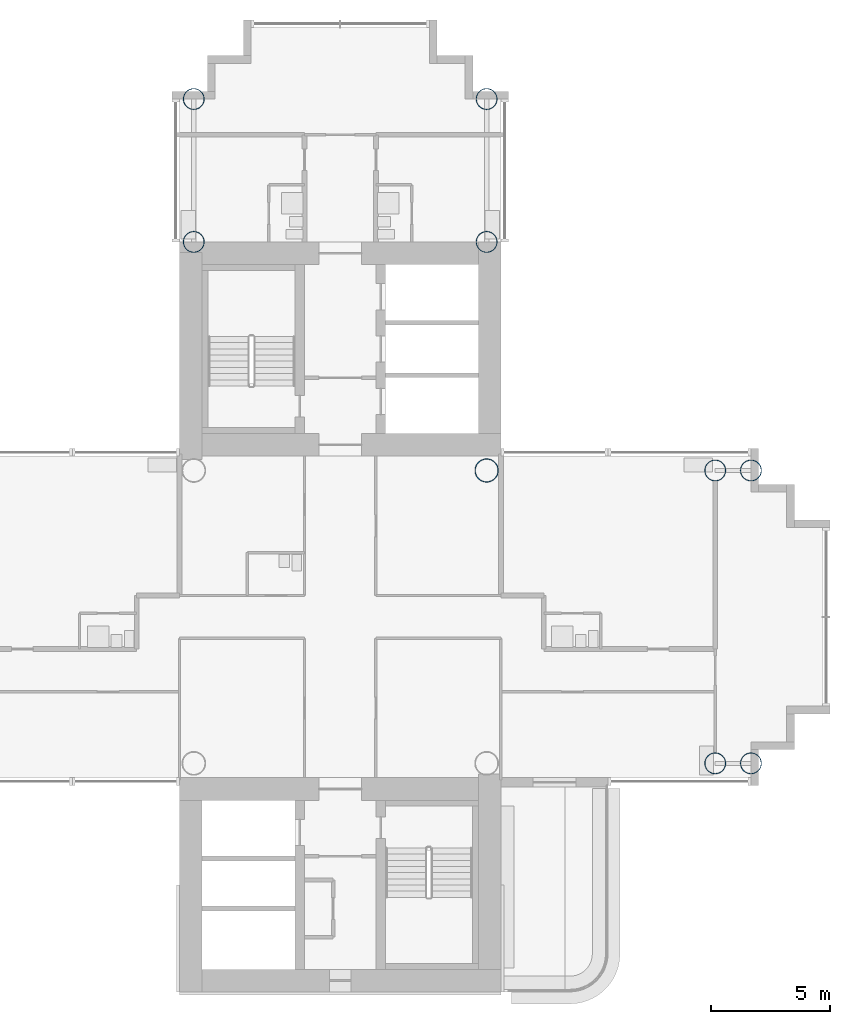
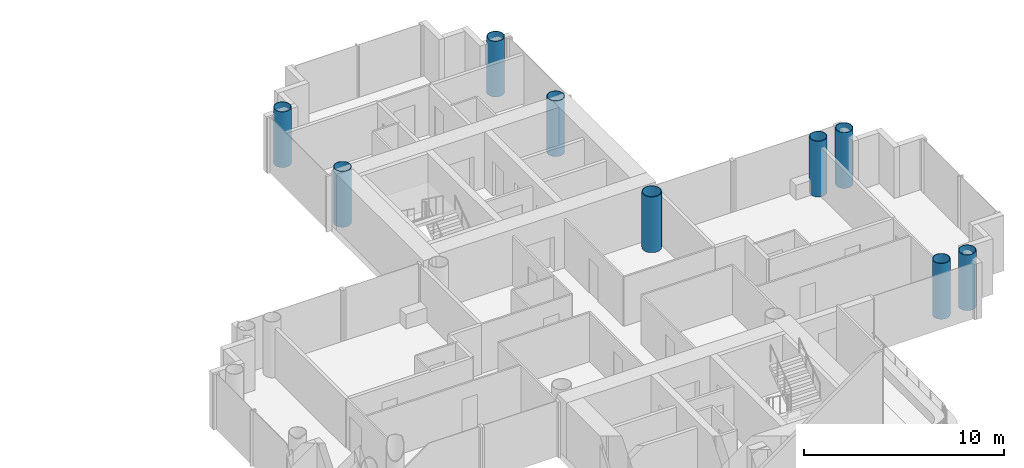
# One storey, part 2 of 21: 9 columns.
"""IFC4 building model written with IfcOpenShell, lengths in metres."""

from ifc_helpers import new_model, si_unit, direction, frame, origin, origin_2d, place, context, subcontext, project, spatial, hollow_circle, extrude, material, material_profile, profile_set, type_object, element, save


model = new_model("IFC4")

# Units and contexts
model_context = context("Model", 3, precision=1e-05, world=origin(), true_north=direction((0.0, 1.0)))
body_context = subcontext(model_context, "Body", "Model", "MODEL_VIEW")
ifc_project = project(units=[si_unit("LENGTHUNIT", "METRE"), si_unit("AREAUNIT", "SQUARE_METRE"), si_unit("VOLUMEUNIT", "CUBIC_METRE"), si_unit("PLANEANGLEUNIT", "RADIAN"), si_unit("MASSUNIT", "GRAM", prefix="KILO")], contexts=[model_context])

# Site, building, storey
site_placement = place(None, origin())
site = spatial("IfcSite", under=ifc_project, at=site_placement, CompositionType="ELEMENT")
building_placement = place(site_placement, origin())
building = spatial("IfcBuilding", under=site, at=building_placement, Name="Ipe Terrace Towers", CompositionType="ELEMENT")
storey_placement = place(building_placement, frame((0.0, 0.0, 117.39990234375)))
storey = spatial("IfcBuildingStorey", under=building, at=storey_placement, Name="L32", CompositionType="ELEMENT", Elevation=117.39990234375)

# Columns
ifc_material_1 = material(Name="Steel S355 tube with Concrete C60/75 fill", Category="concrete")
ifc_material_profile_1 = material_profile(ifc_material_1, hollow_circle(Radius=0.5, WallThickness=0.035888671875, at=origin_2d()), Name="CHS-1000x36")
ifc_profile_set_1 = profile_set([ifc_material_profile_1], Name="Steel S355 tube with Concrete C60/75 fill")
column_type_1 = type_object("IfcColumnType", Name="CH01 COLUMN CHS-1000x36", PredefinedType="COLUMN", material=ifc_profile_set_1)
column_placement = place(storey_placement, frame((42.14990234375, 6.14990234375, 0.0), z_axis=(0.0, 0.0, 1.0), x_axis=(1.0, 0.0, 0.0)))
element("IfcColumn", 1, at=column_placement, inside=storey, type_object=column_type_1, Name="Column T2-C-E02", PredefinedType="COLUMN", context=body_context, shape_type="SweptSolid", body=[
    extrude(hollow_circle(Radius=0.5, WallThickness=0.035888671875, at=origin_2d()), origin(), (0.0, 0.0, 1.0), 3.400146484375),
])
ifc_material_2 = material(Name="Steel S355 tube with Concrete C60/75 fill", Category="concrete")
ifc_material_profile_2 = material_profile(ifc_material_2, hollow_circle(Radius=0.449951171875, WallThickness=0.031982421875, at=origin_2d()), Name="CHS-900x32")
ifc_profile_set_2 = profile_set([ifc_material_profile_2], Name="Steel S355 tube with Concrete C60/75 fill")
column_type_2 = type_object("IfcColumnType", Name="CH10 COLUMN CHS-900x32", PredefinedType="COLUMN", material=ifc_profile_set_2)
for number, where, z_axis, x_axis, name in (
    (2, (42.14990234375, 15.75, 0.0), (0.0, 0.0, 1.0), (1.0, 0.0, 0.0), "Column T2-C-A01"),
    (3, (29.85009765625, 15.75, 0.0), (0.0, 0.0, 1.0), (1.0, 0.0, 0.0), "Column T2-C-A02"),
    (4, (42.14990234375, 21.75, 0.0), (0.0, 0.0, 1.0), (1.0, 0.0, 0.0), "Column T2-C-A03"),
    (5, (29.85009765625, 21.75, 0.0), (0.0, 0.0, 1.0), (1.0, 0.0, 0.0), "Column T2-C-A04"),
    (6, (51.75, -6.14990234375, 0.0), (0.0, 0.0, 1.0), (1.0, 0.0, 0.0), "Column T2-C-D03"),
    (7, (51.75, 6.14990234375, 0.0), (0.0, 0.0, 1.0), (1.0, 0.0, 0.0), "Column T2-C-D04"),
    (8, (53.25, -6.14990234375, 0.0), (0.0, 0.0, 1.0), (1.0, 0.0, 0.0), "Column T2-C-D05"),
    (9, (53.25, 6.14990234375, 0.0), (0.0, 0.0, 1.0), (1.0, 0.0, 0.0), "Column T2-C-D06"),
):
    element("IfcColumn", number, at=place(storey_placement, frame(where, z_axis=z_axis, x_axis=x_axis)), inside=storey, type_object=column_type_2, Name=name, PredefinedType="COLUMN", context=body_context, shape_type="SweptSolid", body=[
        extrude(hollow_circle(Radius=0.449951171875, WallThickness=0.031982421875, at=origin_2d()), origin(), (0.0, 0.0, 1.0), 3.400146484375),
    ])

save(model, "model.ifc")
